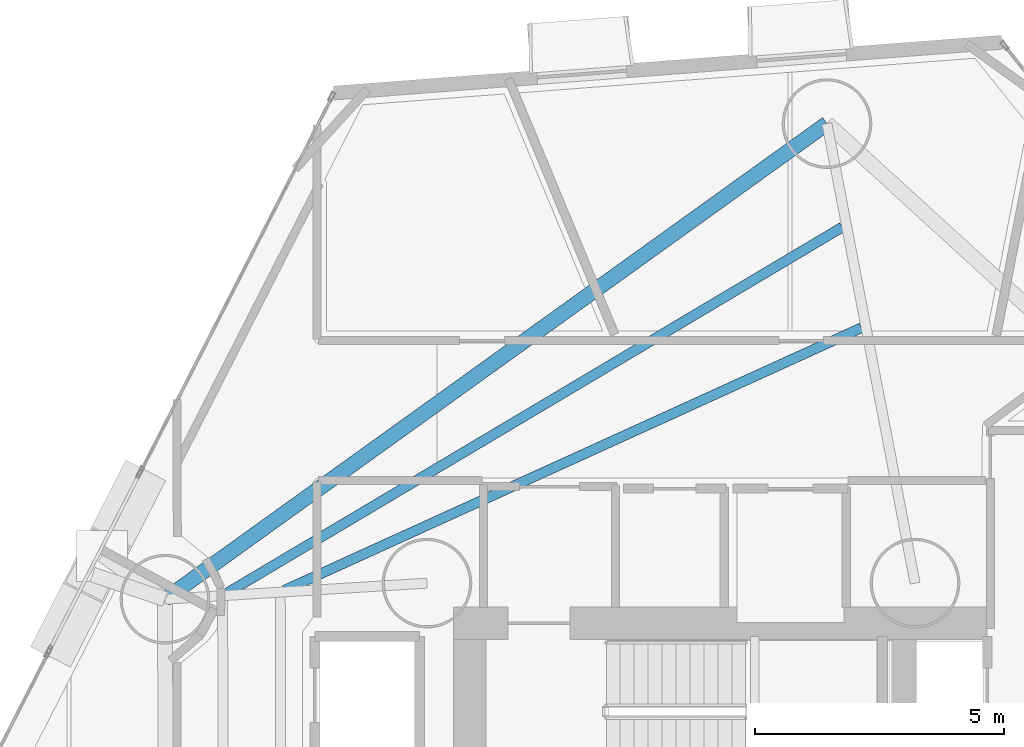
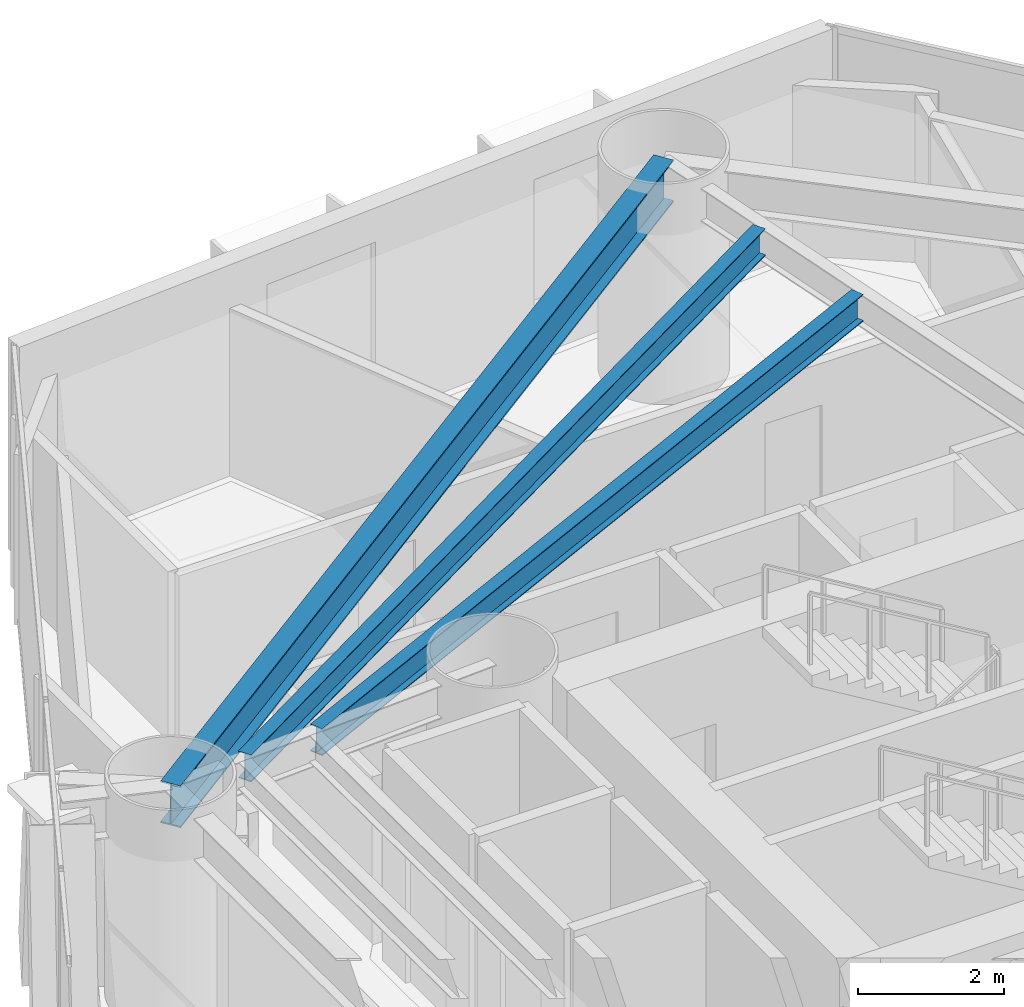
# One storey, part 8 of 23: 3 beams.
"""IFC4 building model written with IfcOpenShell, lengths in metres."""

from ifc_helpers import new_model, si_unit, direction, frame, origin, origin_2d, place, context, subcontext, project, spatial, i_section, extrude, material, material_profile, profile_set, type_object, element, save


model = new_model("IFC4")

# Units and contexts
model_context = context("Model", 3, precision=1e-05, world=origin(), true_north=direction((0.0, 1.0)))
body_context = subcontext(model_context, "Body", "Model", "MODEL_VIEW")
ifc_project = project(units=[si_unit("LENGTHUNIT", "METRE"), si_unit("AREAUNIT", "SQUARE_METRE"), si_unit("VOLUMEUNIT", "CUBIC_METRE"), si_unit("PLANEANGLEUNIT", "RADIAN"), si_unit("MASSUNIT", "GRAM", prefix="KILO")], contexts=[model_context])

# Site, building, storey
site_placement = place(None, origin())
site = spatial("IfcSite", under=ifc_project, at=site_placement, CompositionType="ELEMENT")
building_placement = place(site_placement, origin())
building = spatial("IfcBuilding", under=site, at=building_placement, Name="Qianvela Tower", CompositionType="ELEMENT")
storey_placement = place(building_placement, frame((0.0, 0.0, 29.39990234375)))
storey = spatial("IfcBuildingStorey", under=building, at=storey_placement, Name="L06", CompositionType="ELEMENT", Elevation=29.39990234375)

# Beams
ifc_material_1 = material(Name="Steel Q355B", Category="steel")
ifc_material_profile_1 = material_profile(ifc_material_1, i_section(OverallWidth=0.199951171875, OverallDepth=0.449951171875, WebThickness=0.009033203125, FlangeThickness=0.013916015625, at=origin_2d()), Name="HN450x200x9x14")
ifc_profile_set_1 = profile_set([ifc_material_profile_1], Name="Steel Q355B")
beam_type_1 = type_object("IfcBeamType", Name="BM-HN450-JOIST", PredefinedType="JOIST", material=ifc_profile_set_1)
beam_1_placement = place(storey_placement, frame((37.322509765625, 38.677978515625, 3.293212890625), z_axis=(-0.910244872328, -0.414070371315, 0.0), x_axis=(0.414070371315, -0.910244872328, 0.0)))
element("IfcBeam", 1, at=beam_1_placement, inside=storey, type_object=beam_type_1, Name="L06 Secondary Composite Floor Joist 3.2", PredefinedType="JOIST", context=body_context, shape_type="SweptSolid", body=[
    extrude(i_section(OverallWidth=0.199951171875, OverallDepth=0.449951171875, WebThickness=0.009033203125, FlangeThickness=0.013916015625, at=origin_2d()), origin(), (0.0, 0.0, 1.0), 12.723876953125),
])
beam_2_placement = place(storey_placement, frame((36.9384765625, 40.69873046875, 3.293212890625), z_axis=(-0.859492146952, -0.511148950237, 0.0), x_axis=(0.511148950237, -0.859492146952, 0.0)))
element("IfcBeam", 2, at=beam_2_placement, inside=storey, type_object=beam_type_1, Name="L06 Secondary Composite Floor Joist 3.3", PredefinedType="JOIST", context=body_context, shape_type="SweptSolid", body=[
    extrude(i_section(OverallWidth=0.199951171875, OverallDepth=0.449951171875, WebThickness=0.009033203125, FlangeThickness=0.013916015625, at=origin_2d()), origin(), (0.0, 0.0, 1.0), 14.381103515625),
])
ifc_material_2 = material(Name="Steel Q355B", Category="steel")
ifc_material_profile_2 = material_profile(ifc_material_2, i_section(OverallWidth=0.300048828125, OverallDepth=0.699951171875, WebThickness=0.012939453125, FlangeThickness=0.02392578125, at=origin_2d()), Name="HN700x300x13x24")
ifc_profile_set_2 = profile_set([ifc_material_profile_2], Name="Steel Q355B")
beam_type_2 = type_object("IfcBeamType", Name="BM-HN700-SPAND", PredefinedType="SPANDREL", material=ifc_profile_set_2)
beam_3_placement = place(storey_placement, frame((36.632080078125, 42.778076171875, 3.168212890625), z_axis=(-0.812164446449, -0.583428583397, 0.0), x_axis=(0.583428583397, -0.812164446449, 0.0)))
element("IfcBeam", 3, at=beam_3_placement, inside=storey, type_object=beam_type_2, Name="L06 Perimeter Ring Spandrel Girder 3", PredefinedType="SPANDREL", context=body_context, shape_type="SweptSolid", body=[
    extrude(i_section(OverallWidth=0.300048828125, OverallDepth=0.699951171875, WebThickness=0.012939453125, FlangeThickness=0.02392578125, at=origin_2d()), origin(), (0.0, 0.0, 1.0), 16.368896484375),
])

save(model, "model.ifc")
